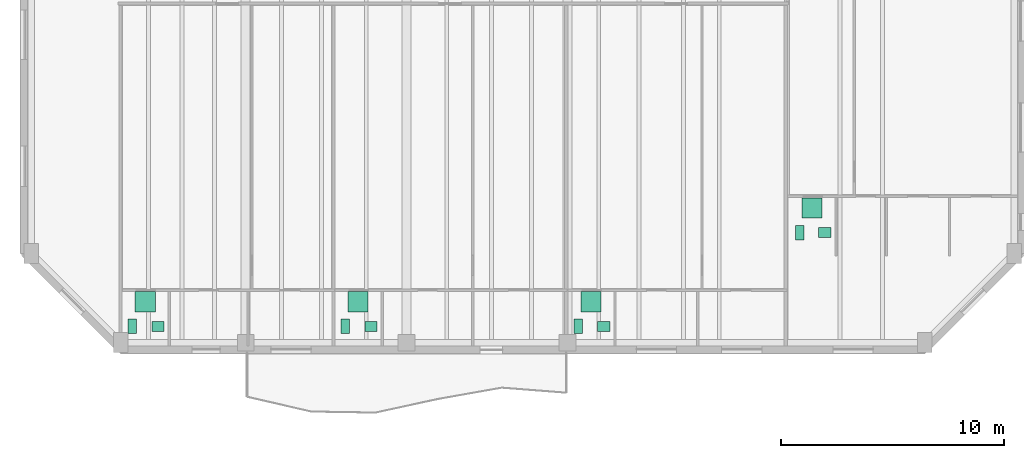
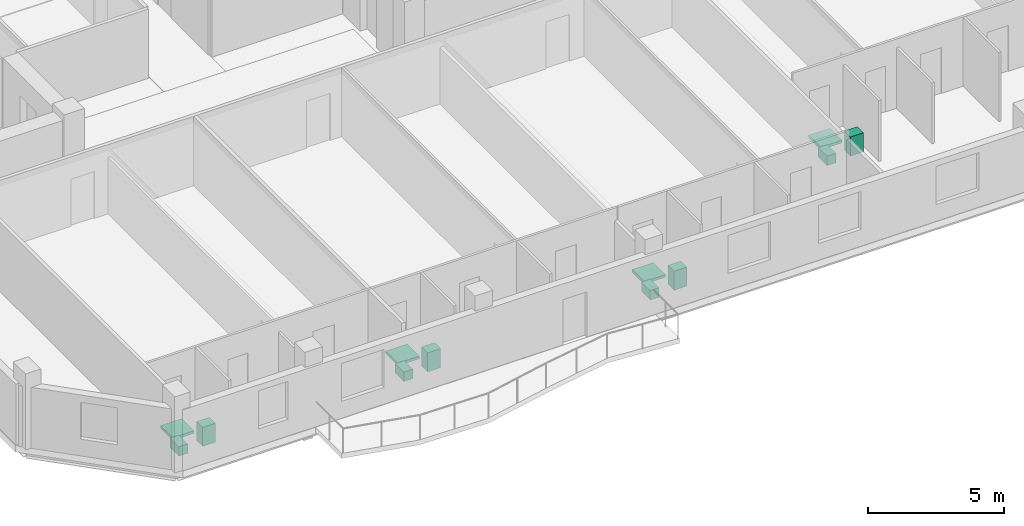
# One storey, part 9 of 9: 12 sanitary terminals.
"""IFC4 building model written with IfcOpenShell, lengths in metres."""

from ifc_helpers import new_model, si_unit, direction, frame, origin, origin_2d, place, context, subcontext, project, spatial, rectangle, extrude, material, type_object, element, save


model = new_model("IFC4")

# Units and contexts
model_context = context("Model", 3, precision=1e-05, world=origin(), true_north=direction((0.0, 1.0)))
body_context = subcontext(model_context, "Body", "Model", "MODEL_VIEW")
ifc_project = project(units=[si_unit("LENGTHUNIT", "METRE"), si_unit("AREAUNIT", "SQUARE_METRE"), si_unit("VOLUMEUNIT", "CUBIC_METRE"), si_unit("PLANEANGLEUNIT", "RADIAN"), si_unit("MASSUNIT", "GRAM", prefix="KILO")], contexts=[model_context])

# Site, building, storey
site_placement = place(None, origin())
site = spatial("IfcSite", under=ifc_project, at=site_placement, CompositionType="ELEMENT")
building_placement = place(site_placement, origin())
building = spatial("IfcBuilding", under=site, at=building_placement, Name="Kranthara Brick Stack", CompositionType="ELEMENT")
storey_placement = place(building_placement, frame((0.0, 0.0, 231.300048828125)))
storey = spatial("IfcBuildingStorey", under=building, at=storey_placement, Name="L60", CompositionType="ELEMENT", Elevation=231.300048828125)

# Sanitary terminals
ifc_material_1 = material(Name="Vitreous china sanitary porcelain", Category="other")
sanitary_terminal_type_1 = type_object("IfcSanitaryTerminalType", Name="SAN-BASIN", PredefinedType="WASHHANDBASIN", material=ifc_material_1)
for number, where, z_axis, x_axis, name in (
    (1, (16.8798828125, 3.925048828125, 0.0), (0.0, 0.0, 1.0), (1.0, 0.0, 0.0), "L60 Washbasin 324"),
    (2, (26.409912109375, 3.925048828125, 0.0), (0.0, 0.0, 1.0), (1.0, 0.0, 0.0), "L60 Washbasin 325"),
    (3, (36.8330078125, 3.925048828125, 0.0), (0.0, 0.0, 1.0), (1.0, 0.0, 0.0), "L60 Washbasin 326"),
    (4, (46.72412109375, 8.125, 0.0), (0.0, 0.0, 1.0), (1.0, 0.0, 0.0), "L60 Washbasin 327"),
):
    element("IfcSanitaryTerminal", number, at=place(storey_placement, frame(where, z_axis=z_axis, x_axis=x_axis)), inside=storey, type_object=sanitary_terminal_type_1, Name=name, PredefinedType="WASHHANDBASIN", context=body_context, shape_type="SweptSolid", body=[
        extrude(rectangle(XDim=0.550048828125, YDim=0.449951171875, at=origin_2d()), origin(), (0.0, 0.0, 1.0), 0.85009765625),
    ])
ifc_material_2 = material(Name="Acrylic and porcelain shower tray", Category="other")
sanitary_terminal_type_2 = type_object("IfcSanitaryTerminalType", Name="SAN-SHOWER", PredefinedType="SHOWER", material=ifc_material_2)
for number, where, z_axis, x_axis, name in (
    (5, (16.304931640625, 5.030029296875, 0.0), (0.0, 0.0, 1.0), (1.0, 0.0, 0.0), "L60 Shower Tray 324"),
    (6, (25.8349609375, 5.030029296875, 0.0), (0.0, 0.0, 1.0), (1.0, 0.0, 0.0), "L60 Shower Tray 325"),
    (7, (36.258056640625, 5.030029296875, 0.0), (0.0, 0.0, 1.0), (1.0, 0.0, 0.0), "L60 Shower Tray 326"),
    (8, (46.156982421875, 9.22998046875, 0.0), (0.0, 0.0, 1.0), (1.0, 0.0, 0.0), "L60 Shower Tray 327"),
):
    element("IfcSanitaryTerminal", number, at=place(storey_placement, frame(where, z_axis=z_axis, x_axis=x_axis)), inside=storey, type_object=sanitary_terminal_type_2, Name=name, PredefinedType="SHOWER", context=body_context, shape_type="SweptSolid", body=[
        extrude(rectangle(XDim=0.89990234375, YDim=0.89990234375, at=origin_2d()), origin(), (0.0, 0.0, 1.0), 0.1201171875),
    ])
ifc_material_3 = material(Name="Vitreous china sanitary porcelain", Category="other")
sanitary_terminal_type_3 = type_object("IfcSanitaryTerminalType", Name="SAN-WC-PAN", PredefinedType="TOILETPAN", material=ifc_material_3)
for number, where, z_axis, x_axis, name in (
    (9, (15.72998046875, 3.925048828125, 0.0), (0.0, 0.0, 1.0), (1.0, 0.0, 0.0), "L60 WC Pan 324"),
    (10, (25.260009765625, 3.925048828125, 0.0), (0.0, 0.0, 1.0), (1.0, 0.0, 0.0), "L60 WC Pan 325"),
    (11, (35.68310546875, 3.925048828125, 0.0), (0.0, 0.0, 1.0), (1.0, 0.0, 0.0), "L60 WC Pan 326"),
    (12, (45.590087890625, 8.125, 0.0), (0.0, 0.0, 1.0), (1.0, 0.0, 0.0), "L60 WC Pan 327"),
):
    element("IfcSanitaryTerminal", number, at=place(storey_placement, frame(where, z_axis=z_axis, x_axis=x_axis)), inside=storey, type_object=sanitary_terminal_type_3, Name=name, PredefinedType="TOILETPAN", context=body_context, shape_type="SweptSolid", body=[
        extrude(rectangle(XDim=0.3798828125, YDim=0.64990234375, at=origin_2d()), origin(), (0.0, 0.0, 1.0), 0.419921875),
    ])

save(model, "model.ifc")
